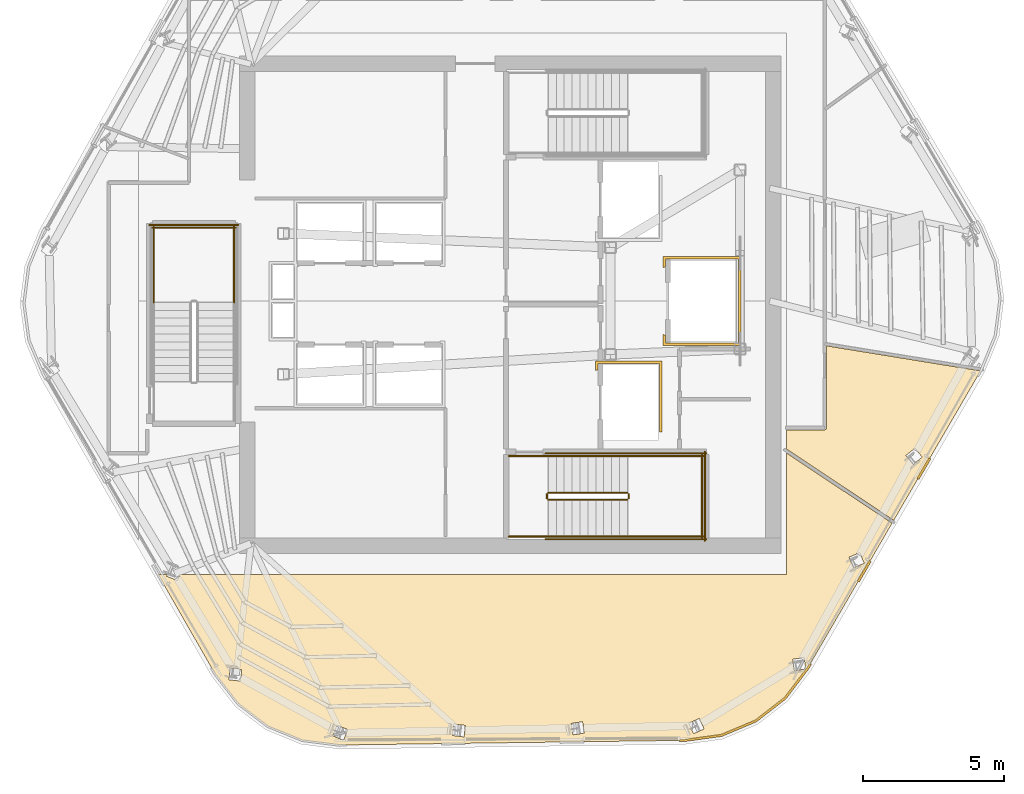
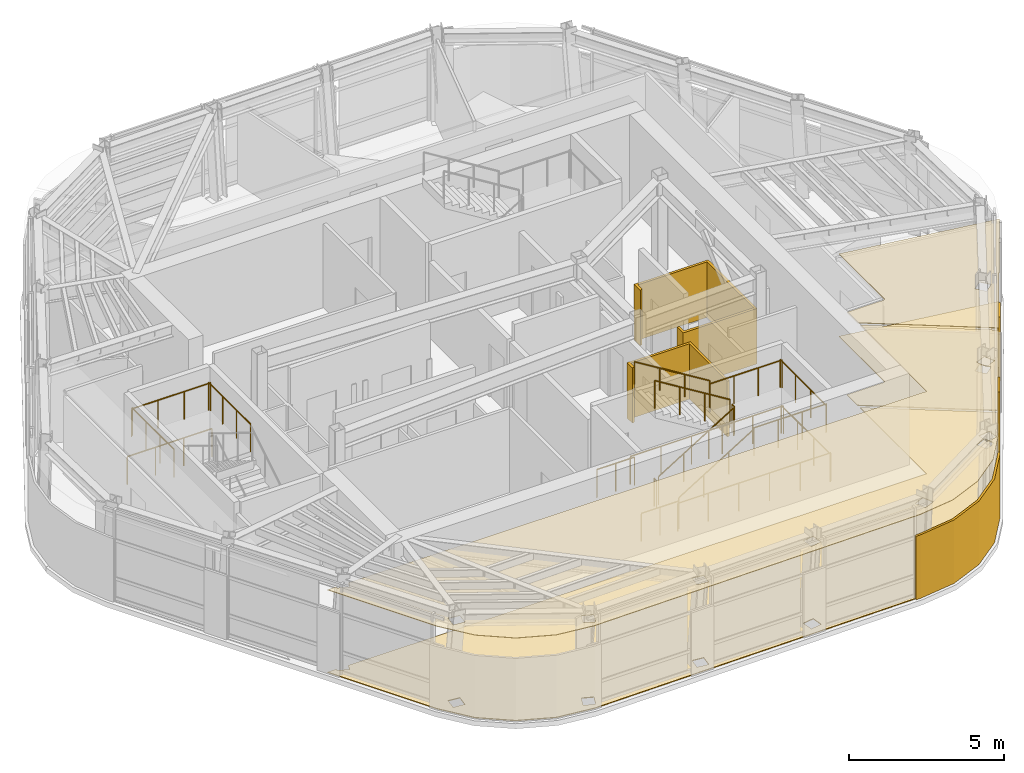
# One storey, part 10 of 13: 18 railings, 9 coverings.
"""IFC4 building model written with IfcOpenShell, lengths in metres."""

from ifc_helpers import new_model, si_unit, direction, frame, origin, origin_2d, place, context, subcontext, project, spatial, polyline, circle, outline, extrude, material, layer, layer_set, type_object, element, save


model = new_model("IFC4")

# Units and contexts
model_context = context("Model", 3, precision=1e-05, world=origin(), true_north=direction((0.0, 1.0)))
body_context = subcontext(model_context, "Body", "Model", "MODEL_VIEW")
ifc_project = project(units=[si_unit("LENGTHUNIT", "METRE"), si_unit("AREAUNIT", "SQUARE_METRE"), si_unit("VOLUMEUNIT", "CUBIC_METRE"), si_unit("PLANEANGLEUNIT", "RADIAN"), si_unit("MASSUNIT", "GRAM", prefix="KILO")], contexts=[model_context])

# Site, building, storey
site_placement = place(None, origin())
site = spatial("IfcSite", under=ifc_project, at=site_placement, CompositionType="ELEMENT")
building_placement = place(site_placement, origin())
building = spatial("IfcBuilding", under=site, at=building_placement, Name="Valkerne Bourse Tower", CompositionType="ELEMENT")
storey_placement = place(building_placement, frame((0.0, 0.0, 285.0)))
storey = spatial("IfcBuildingStorey", under=building, at=storey_placement, Name="L72", CompositionType="ELEMENT", Elevation=285.0)

# Coverings
ifc_material_1 = material(Name="Mineral Fiber Acoustic Ceiling Tile", Category="acoustic")
ifc_layer_1 = layer(ifc_material_1, 0.02490234375)
ifc_layer_set_1 = layer_set([ifc_layer_1], Name="Mineral Fiber Acoustic Ceiling Tile")
covering_type_1 = type_object("IfcCoveringType", Name="COV-CEIL-ACT", PredefinedType="CEILING", material=ifc_layer_set_1)
covering_1_placement = place(storey_placement, frame((0.0, 0.0, 3.25)))
element("IfcCovering", 1, at=covering_1_placement, inside=storey, type_object=covering_type_1, Name="L72 Suspended Ceiling 04", PredefinedType="CEILING", context=body_context, shape_type="SweptSolid", body=[
    extrude(outline(polyline([(57.953369140625, 22.43115234375), (57.99072265625, 22.444091796875), (58.0126953125, 22.470947265625), (58.01904296875, 22.49951171875), (58.01904296875, 25.40869140625), (63.4814453125, 24.520751953125), (60.39990234375, 19.22021484375), (56.60009765625, 21.748291015625), (56.60009765625, 22.430908203125), (57.953369140625, 22.43115234375)]), holes=[polyline([(61.408447265625, 21.46337890625), (61.152587890625, 21.779541015625), (60.83447265625, 21.52294921875), (60.833740234375, 21.520751953125), (61.089599609375, 21.204833984375), (61.40771484375, 21.46142578125), (61.408447265625, 21.46337890625)])]), origin(), (0.0, 0.0, 1.0), 0.02490234375),
])
covering_2_placement = place(storey_placement, frame((0.0, 0.0, 3.25)))
element("IfcCovering", 2, at=covering_2_placement, inside=storey, type_object=covering_type_1, Name="L72 Suspended Ceiling 09", PredefinedType="CEILING", context=body_context, shape_type="SweptSolid", body=[
    extrude(outline(polyline([(55.503173828125, 12.106201171875), (54.286865234375, 11.5947265625), (52.969482421875, 11.414306640625), (40.735107421875, 11.24951171875), (39.4169921875, 11.416015625), (38.1953125, 11.91455078125), (37.144287109375, 12.712158203125), (36.330078125, 13.761962890625), (34.301513671875, 17.300048828125), (34.62939453125, 17.300048828125), (34.604736328125, 17.236083984375), (34.606201171875, 17.234375), (34.98779296875, 17.087646484375), (35.069580078125, 17.300048828125), (56.60009765625, 17.300048828125), (56.60009765625, 21.6064453125), (60.34033203125, 19.117919921875), (57.349853515625, 13.97412109375), (56.5458984375, 12.9150390625), (55.503173828125, 12.106201171875)]), holes=[polyline([(41.031005859375, 11.802001953125), (40.6533203125, 11.950927734375), (40.503173828125, 11.5703125), (40.50537109375, 11.5693359375), (40.883056640625, 11.42041015625), (41.033203125, 11.80126953125), (41.031005859375, 11.802001953125)]), polyline([(45.2041015625, 11.94384765625), (44.801025390625, 11.9921875), (44.75244140625, 11.585693359375), (44.754638671875, 11.58544921875), (45.15771484375, 11.537109375), (45.206298828125, 11.943603515625), (45.2041015625, 11.94384765625)]), polyline([(37.268310546875, 13.924072265625), (36.8623046875, 13.96923828125), (36.816650390625, 13.565185546875), (36.818603515625, 13.563720703125), (37.224609375, 13.518798828125), (37.270263671875, 13.922607421875), (37.268310546875, 13.924072265625)]), polyline([(49.423828125, 11.673095703125), (49.3603515625, 12.077392578125), (49.358154296875, 12.0771484375), (48.95703125, 12.01416015625), (49.020751953125, 11.60986328125), (49.02294921875, 11.610107421875), (49.423828125, 11.673095703125)]), polyline([(53.6708984375, 11.81689453125), (53.506591796875, 12.19189453125), (53.50439453125, 12.19091796875), (53.1328125, 12.0283203125), (53.296630859375, 11.6533203125), (53.298828125, 11.654296875), (53.6708984375, 11.81689453125)]), polyline([(57.27978515625, 13.94873046875), (57.219482421875, 14.350830078125), (56.815185546875, 14.291015625), (56.8134765625, 14.289306640625), (56.873779296875, 13.887451171875), (57.27783203125, 13.947265625), (57.27978515625, 13.94873046875)]), polyline([(59.3525390625, 17.69970703125), (59.1923828125, 18.073486328125), (58.81640625, 17.9130859375), (58.815185546875, 17.911376953125), (58.975341796875, 17.53759765625), (59.351318359375, 17.697998046875), (59.3525390625, 17.69970703125)])]), origin(), (0.0, 0.0, 1.0), 0.02490234375),
])
ifc_material_2 = material(Name="Bronze Anodised Aluminium AA 6063-T6", Category="aluminium")
ifc_layer_2 = layer(ifc_material_2, 0.06005859375)
ifc_layer_set_2 = layer_set([ifc_layer_2], Name="Bronze Anodised Aluminium AA 6063-T6")
covering_type_2 = type_object("IfcCoveringType", Name="COV-CRN-ALUM", PredefinedType="CLADDING", material=ifc_layer_set_2)
covering_3_placement = place(storey_placement, origin())
element("IfcCovering", 3, at=covering_3_placement, inside=storey, type_object=covering_type_2, Name="L72 Wind-Shaped Corner Aluminium Cladding 02", PredefinedType="CLADDING", context=body_context, shape_type="SweptSolid", body=[
    extrude(outline(polyline([(61.29541015625, 20.673095703125), (61.225830078125, 20.712646484375), (61.64794921875, 21.438720703125), (61.717529296875, 21.399169921875), (61.29541015625, 20.673095703125)])), origin(), (0.0, 0.0, 1.0), 2.5),
])
covering_4_placement = place(storey_placement, origin())
element("IfcCovering", 4, at=covering_4_placement, inside=storey, type_object=covering_type_2, Name="L72 Wind-Shaped Corner Aluminium Cladding 03", PredefinedType="CLADDING", context=body_context, shape_type="SweptSolid", body=[
    extrude(outline(polyline([(59.17822265625, 17.031494140625), (59.10888671875, 17.071044921875), (59.531005859375, 17.79736328125), (59.6005859375, 17.7578125), (59.17822265625, 17.031494140625)])), origin(), (0.0, 0.0, 1.0), 2.5),
])
covering_5_placement = place(storey_placement, origin())
element("IfcCovering", 5, at=covering_5_placement, inside=storey, type_object=covering_type_2, Name="L72 Wind-Shaped Corner Aluminium Cladding 04", PredefinedType="CLADDING", context=body_context, shape_type="SweptSolid", body=[
    extrude(outline(polyline([(57.386474609375, 13.94970703125), (56.577392578125, 12.8837890625), (55.525634765625, 12.06787109375), (54.298583984375, 11.552001953125), (52.97265625, 11.370361328125), (52.77978515625, 11.367919921875), (52.779541015625, 11.44775390625), (52.966796875, 11.4501953125), (54.277099609375, 11.6298828125), (55.48486328125, 12.1376953125), (56.520263671875, 12.9404296875), (57.31982421875, 13.993896484375), (57.4140625, 14.156005859375), (57.4833984375, 14.1162109375), (57.386474609375, 13.94970703125)])), origin(), (0.0, 0.0, 1.0), 2.5),
])
ifc_material_3 = material(Name="Polished Granite Stone", Category="masonry")
ifc_layer_3 = layer(ifc_material_3, 0.030029296875)
ifc_layer_set_3 = layer_set([ifc_layer_3], Name="Polished Granite Stone")
covering_type_3 = type_object("IfcCoveringType", Name="COV-FLR-TERRAZZO", PredefinedType="FLOORING", material=ifc_layer_set_3)
covering_6_placement = place(storey_placement, origin())
element("IfcCovering", 6, at=covering_6_placement, inside=storey, type_object=covering_type_3, Name="L72 Floor Finish 04", PredefinedType="FLOORING", context=body_context, shape_type="SweptSolid", body=[
    extrude(outline(polyline([(57.953369140625, 22.43115234375), (57.99072265625, 22.444091796875), (58.0126953125, 22.470947265625), (58.01904296875, 22.49951171875), (58.01904296875, 25.40869140625), (63.4814453125, 24.520751953125), (60.39990234375, 19.22021484375), (56.60009765625, 21.748291015625), (56.60009765625, 22.430908203125), (57.953369140625, 22.43115234375)]), holes=[polyline([(61.408447265625, 21.46337890625), (61.152587890625, 21.779541015625), (60.83447265625, 21.52294921875), (60.833740234375, 21.520751953125), (61.089599609375, 21.204833984375), (61.40771484375, 21.46142578125), (61.408447265625, 21.46337890625)])]), origin(), (0.0, 0.0, 1.0), 0.030029296875),
])
covering_7_placement = place(storey_placement, origin())
element("IfcCovering", 7, at=covering_7_placement, inside=storey, type_object=covering_type_3, Name="L72 Floor Finish 09", PredefinedType="FLOORING", context=body_context, shape_type="SweptSolid", body=[
    extrude(outline(polyline([(55.503173828125, 12.106201171875), (54.286865234375, 11.5947265625), (52.969482421875, 11.414306640625), (40.735107421875, 11.24951171875), (39.4169921875, 11.416015625), (38.1953125, 11.91455078125), (37.144287109375, 12.712158203125), (36.330078125, 13.761962890625), (34.301513671875, 17.300048828125), (34.62939453125, 17.300048828125), (34.604736328125, 17.236083984375), (34.606201171875, 17.234375), (34.98779296875, 17.087646484375), (35.069580078125, 17.300048828125), (56.60009765625, 17.300048828125), (56.60009765625, 21.6064453125), (60.34033203125, 19.117919921875), (57.349853515625, 13.97412109375), (56.5458984375, 12.9150390625), (55.503173828125, 12.106201171875)]), holes=[polyline([(41.031005859375, 11.802001953125), (40.6533203125, 11.950927734375), (40.503173828125, 11.5703125), (40.50537109375, 11.5693359375), (40.883056640625, 11.42041015625), (41.033203125, 11.80126953125), (41.031005859375, 11.802001953125)]), polyline([(45.2041015625, 11.94384765625), (44.801025390625, 11.9921875), (44.75244140625, 11.585693359375), (44.754638671875, 11.58544921875), (45.15771484375, 11.537109375), (45.206298828125, 11.943603515625), (45.2041015625, 11.94384765625)]), polyline([(37.268310546875, 13.924072265625), (36.8623046875, 13.96923828125), (36.816650390625, 13.565185546875), (36.818603515625, 13.563720703125), (37.224609375, 13.518798828125), (37.270263671875, 13.922607421875), (37.268310546875, 13.924072265625)]), polyline([(49.423828125, 11.673095703125), (49.3603515625, 12.077392578125), (49.358154296875, 12.0771484375), (48.95703125, 12.01416015625), (49.020751953125, 11.60986328125), (49.02294921875, 11.610107421875), (49.423828125, 11.673095703125)]), polyline([(53.6708984375, 11.81689453125), (53.506591796875, 12.19189453125), (53.50439453125, 12.19091796875), (53.1328125, 12.0283203125), (53.296630859375, 11.6533203125), (53.298828125, 11.654296875), (53.6708984375, 11.81689453125)]), polyline([(57.27978515625, 13.94873046875), (57.219482421875, 14.350830078125), (56.815185546875, 14.291015625), (56.8134765625, 14.289306640625), (56.873779296875, 13.887451171875), (57.27783203125, 13.947265625), (57.27978515625, 13.94873046875)]), polyline([(59.3525390625, 17.69970703125), (59.1923828125, 18.073486328125), (58.81640625, 17.9130859375), (58.815185546875, 17.911376953125), (58.975341796875, 17.53759765625), (59.351318359375, 17.697998046875), (59.3525390625, 17.69970703125)])]), origin(), (0.0, 0.0, 1.0), 0.030029296875),
])
ifc_material_4 = material(Name="Gypsum Shaftwall Liner Board", Category="gypsum")
ifc_layer_4 = layer(ifc_material_4, 0.080078125)
ifc_layer_set_4 = layer_set([ifc_layer_4], Name="Gypsum Shaftwall Liner Board")
covering_type_4 = type_object("IfcCoveringType", Name="COV-SHF-CLAD", PredefinedType="CLADDING", material=ifc_layer_set_4)
covering_8_placement = place(storey_placement, origin())
element("IfcCovering", 8, at=covering_8_placement, inside=storey, type_object=covering_type_4, Name="L72 Hoistway & Riser Shaftwall Liner 01", PredefinedType="CLADDING", context=body_context, shape_type="SweptSolid", body=[
    extrude(outline(polyline([(52.179931640625, 24.8798828125), (52.179931640625, 22.35009765625), (52.090087890625, 22.35009765625), (52.090087890625, 24.7900390625), (49.909912109375, 24.7900390625), (49.909912109375, 24.560791015625), (49.869384765625, 24.550537109375), (49.827880859375, 24.53564453125), (49.820068359375, 24.531982421875), (49.820068359375, 24.8798828125), (52.179931640625, 24.8798828125)])), origin(), (0.0, 0.0, 1.0), 2.179931640625),
])
covering_9_placement = place(storey_placement, origin())
element("IfcCovering", 9, at=covering_9_placement, inside=storey, type_object=covering_type_4, Name="L72 Hoistway & Riser Shaftwall Liner 05", PredefinedType="CLADDING", context=body_context, shape_type="SweptSolid", body=[
    extrude(outline(polyline([(54.97998046875, 28.580078125), (54.97998046875, 25.419921875), (52.219970703125, 25.419921875), (52.219970703125, 25.81787109375), (52.227783203125, 25.814208984375), (52.269287109375, 25.79931640625), (52.31005859375, 25.789306640625), (52.31005859375, 25.510009765625), (54.889892578125, 25.510009765625), (54.889892578125, 28.489990234375), (52.31005859375, 28.489990234375), (52.31005859375, 28.210693359375), (52.269287109375, 28.20068359375), (52.227783203125, 28.185791015625), (52.219970703125, 28.18212890625), (52.219970703125, 28.580078125), (54.97998046875, 28.580078125)])), origin(), (0.0, 0.0, 1.0), 2.179931640625),
])

# Railings
ifc_material_5 = material(Name="Galvanised Painted Steel", Category="steel")
railing_type_1 = type_object("IfcRailingType", Name="RLG-ST-GUARD-1120", PredefinedType="GUARDRAIL", material=ifc_material_5)
railing_1_placement = place(storey_placement, frame((48.14990234375, 19.949951171875, 0.172607421875)))
element("IfcRailing", 10, at=railing_1_placement, inside=storey, type_object=railing_type_1, Name="L72 ST-1 stair guard 1", PredefinedType="GUARDRAIL", context=body_context, shape_type="SweptSolid", body=[
    extrude(circle(Radius=0.02392578125, at=origin_2d()), frame((0.0, 0.0, 1.09619140625), z_axis=(0.851089632645, 0.0, 0.525020415988), x_axis=(0.0, 1.0, 0.0)), (0.0, 0.0, 1.0), 3.2900390625),
    extrude(circle(Radius=0.02099609375, at=origin_2d()), origin(), (0.0, 0.0, 1.0), 1.072021484375),
    extrude(circle(Radius=0.02099609375, at=origin_2d()), frame((0.933349609375, 0.0, 0.57568359375)), (0.0, 0.0, 1.0), 1.072021484375),
    extrude(circle(Radius=0.02099609375, at=origin_2d()), frame((1.86669921875, 0.0, 1.151611328125)), (0.0, 0.0, 1.0), 1.072021484375),
    extrude(circle(Radius=0.02099609375, at=origin_2d()), frame((2.800048828125, 0.0, 1.727294921875)), (0.0, 0.0, 1.0), 1.072021484375),
])
railing_2_placement = place(storey_placement, frame((51.0, 20.0, 1.89990234375)))
element("IfcRailing", 11, at=railing_2_placement, inside=storey, type_object=railing_type_1, Name="L72 ST-1 stair guard 2", PredefinedType="GUARDRAIL", context=body_context, shape_type="SweptSolid", body=[
    extrude(circle(Radius=0.02392578125, at=origin_2d()), frame((0.0, 0.0, 1.09619140625), z_axis=(0.0, 1.0, 0.0), x_axis=(-1.0, 0.0, 0.0)), (0.0, 0.0, 1.0), 0.14990234375),
    extrude(circle(Radius=0.02099609375, at=origin_2d()), origin(), (0.0, 0.0, 1.0), 1.072021484375),
    extrude(circle(Radius=0.02099609375, at=origin_2d()), frame((0.0, 0.14990234375, 0.0)), (0.0, 0.0, 1.0), 1.072021484375),
])
for number, where, name in (
    (12, (50.949951171875, 18.64990234375, 1.89990234375), "L72 ST-1 stair guard 3"),
    (13, (50.949951171875, 21.5, 1.89990234375), "L72 ST-1 stair guard 4"),
):
    element("IfcRailing", number, at=place(storey_placement, frame(where)), inside=storey, type_object=railing_type_1, Name=name, PredefinedType="GUARDRAIL", context=body_context, shape_type="SweptSolid", body=[
        extrude(circle(Radius=0.02392578125, at=origin_2d()), frame((0.0, 0.0, 1.09619140625), z_axis=(1.0, 0.0, 0.0), x_axis=(0.0, 1.0, 0.0)), (0.0, 0.0, 1.0), 2.699951171875),
        extrude(circle(Radius=0.02099609375, at=origin_2d()), origin(), (0.0, 0.0, 1.0), 1.072021484375),
        extrude(circle(Radius=0.02099609375, at=origin_2d()), frame((0.89990234375, 0.0, 0.0)), (0.0, 0.0, 1.0), 1.072021484375),
        extrude(circle(Radius=0.02099609375, at=origin_2d()), frame((1.800048828125, 0.0, 0.0)), (0.0, 0.0, 1.0), 1.072021484375),
        extrude(circle(Radius=0.02099609375, at=origin_2d()), frame((2.699951171875, 0.0, 0.0)), (0.0, 0.0, 1.0), 1.072021484375),
    ])
railing_3_placement = place(storey_placement, frame((53.60009765625, 18.60009765625, 1.89990234375)))
element("IfcRailing", 14, at=railing_3_placement, inside=storey, type_object=railing_type_1, Name="L72 ST-1 stair guard 5", PredefinedType="GUARDRAIL", context=body_context, shape_type="SweptSolid", body=[
    extrude(circle(Radius=0.02392578125, at=origin_2d()), frame((0.0, 0.0, 1.09619140625), z_axis=(0.0, 1.0, 0.0), x_axis=(-1.0, 0.0, 0.0)), (0.0, 0.0, 1.0), 2.949951171875),
    extrude(circle(Radius=0.02099609375, at=origin_2d()), origin(), (0.0, 0.0, 1.0), 1.072021484375),
    extrude(circle(Radius=0.02099609375, at=origin_2d()), frame((0.0, 0.9833984375, 0.0)), (0.0, 0.0, 1.0), 1.072021484375),
    extrude(circle(Radius=0.02099609375, at=origin_2d()), frame((0.0, 1.966552734375, 0.0)), (0.0, 0.0, 1.0), 1.072021484375),
    extrude(circle(Radius=0.02099609375, at=origin_2d()), frame((0.0, 2.949951171875, 0.0)), (0.0, 0.0, 1.0), 1.072021484375),
])
railing_4_placement = place(storey_placement, frame((50.949951171875, 20.199951171875, 2.07275390625)))
element("IfcRailing", 15, at=railing_4_placement, inside=storey, type_object=railing_type_1, Name="L72 ST-1 stair guard 6", PredefinedType="GUARDRAIL", context=body_context, shape_type="SweptSolid", body=[
    extrude(circle(Radius=0.02392578125, at=origin_2d()), frame((0.0, 0.0, 1.09619140625), z_axis=(-0.851089632645, 0.0, 0.525020415988), x_axis=(0.0, -1.0, 0.0)), (0.0, 0.0, 1.0), 3.2900390625),
    extrude(circle(Radius=0.02099609375, at=origin_2d()), origin(), (0.0, 0.0, 1.0), 1.072021484375),
    extrude(circle(Radius=0.02099609375, at=origin_2d()), frame((-0.933349609375, 0.0, 0.57568359375)), (0.0, 0.0, 1.0), 1.072021484375),
    extrude(circle(Radius=0.02099609375, at=origin_2d()), frame((-1.86669921875, 0.0, 1.151611328125)), (0.0, 0.0, 1.0), 1.072021484375),
    extrude(circle(Radius=0.02099609375, at=origin_2d()), frame((-2.800048828125, 0.0, 1.727294921875)), (0.0, 0.0, 1.0), 1.072021484375),
])
railing_5_placement = place(storey_placement, frame((48.10009765625, 20.0, 0.0)))
element("IfcRailing", 16, at=railing_5_placement, inside=storey, type_object=railing_type_1, Name="L72 ST-1 stair guard 7", PredefinedType="GUARDRAIL", context=body_context, shape_type="SweptSolid", body=[
    extrude(circle(Radius=0.02392578125, at=origin_2d()), frame((0.0, 0.0, 1.09619140625), z_axis=(0.0, 1.0, 0.0), x_axis=(-1.0, 0.0, 0.0)), (0.0, 0.0, 1.0), 0.14990234375),
    extrude(circle(Radius=0.02099609375, at=origin_2d()), origin(), (0.0, 0.0, 1.0), 1.072021484375),
    extrude(circle(Radius=0.02099609375, at=origin_2d()), frame((0.0, 0.14990234375, 0.0)), (0.0, 0.0, 1.0), 1.072021484375),
])
for number, where, name in (
    (17, (46.75, 18.64990234375, 0.0), "L72 ST-1 stair guard 8"),
    (18, (46.75, 21.5, 0.0), "L72 ST-1 stair guard 9"),
):
    element("IfcRailing", number, at=place(storey_placement, frame(where)), inside=storey, type_object=railing_type_1, Name=name, PredefinedType="GUARDRAIL", context=body_context, shape_type="SweptSolid", body=[
        extrude(circle(Radius=0.02392578125, at=origin_2d()), frame((0.0, 0.0, 1.09619140625), z_axis=(1.0, 0.0, 0.0), x_axis=(0.0, 1.0, 0.0)), (0.0, 0.0, 1.0), 1.39990234375),
        extrude(circle(Radius=0.02099609375, at=origin_2d()), origin(), (0.0, 0.0, 1.0), 1.072021484375),
        extrude(circle(Radius=0.02099609375, at=origin_2d()), frame((0.699951171875, 0.0, 0.0)), (0.0, 0.0, 1.0), 1.072021484375),
        extrude(circle(Radius=0.02099609375, at=origin_2d()), frame((1.39990234375, 0.0, 0.0)), (0.0, 0.0, 1.0), 1.072021484375),
    ])
for number, where, name in (
    (19, (48.050048828125, 18.550048828125, 0.0), "L72 ST-1 stair guard 10"),
    (20, (48.050048828125, 21.60009765625, 0.0), "L72 ST-1 stair guard 11"),
):
    element("IfcRailing", number, at=place(storey_placement, frame(where)), inside=storey, type_object=railing_type_1, Name=name, PredefinedType="GUARDRAIL", context=body_context, shape_type="SweptSolid", body=[
        extrude(circle(Radius=0.02392578125, at=origin_2d()), frame((0.0, 0.0, 1.09619140625), z_axis=(1.0, 0.0, 0.0), x_axis=(0.0, 1.0, 0.0)), (0.0, 0.0, 1.0), 5.699951171875),
        extrude(circle(Radius=0.02099609375, at=origin_2d()), origin(), (0.0, 0.0, 1.0), 1.072021484375),
        extrude(circle(Radius=0.02099609375, at=origin_2d()), frame((1.139892578125, 0.0, 0.0)), (0.0, 0.0, 1.0), 1.072021484375),
        extrude(circle(Radius=0.02099609375, at=origin_2d()), frame((2.280029296875, 0.0, 0.0)), (0.0, 0.0, 1.0), 1.072021484375),
        extrude(circle(Radius=0.02099609375, at=origin_2d()), frame((3.419921875, 0.0, 0.0)), (0.0, 0.0, 1.0), 1.072021484375),
        extrude(circle(Radius=0.02099609375, at=origin_2d()), frame((4.56005859375, 0.0, 0.0)), (0.0, 0.0, 1.0), 1.072021484375),
        extrude(circle(Radius=0.02099609375, at=origin_2d()), frame((5.699951171875, 0.0, 0.0)), (0.0, 0.0, 1.0), 1.072021484375),
    ])
railing_6_placement = place(storey_placement, frame((53.699951171875, 18.5, 0.0)))
element("IfcRailing", 21, at=railing_6_placement, inside=storey, type_object=railing_type_1, Name="L72 ST-1 stair guard 12", PredefinedType="GUARDRAIL", context=body_context, shape_type="SweptSolid", body=[
    extrude(circle(Radius=0.02392578125, at=origin_2d()), frame((0.0, 0.0, 1.09619140625), z_axis=(0.0, 1.0, 0.0), x_axis=(-1.0, 0.0, 0.0)), (0.0, 0.0, 1.0), 3.14990234375),
    extrude(circle(Radius=0.02099609375, at=origin_2d()), origin(), (0.0, 0.0, 1.0), 1.072021484375),
    extrude(circle(Radius=0.02099609375, at=origin_2d()), frame((0.0, 1.050048828125, 0.0)), (0.0, 0.0, 1.0), 1.072021484375),
    extrude(circle(Radius=0.02099609375, at=origin_2d()), frame((0.0, 2.099853515625, 0.0)), (0.0, 0.0, 1.0), 1.072021484375),
    extrude(circle(Radius=0.02099609375, at=origin_2d()), frame((0.0, 3.14990234375, 0.0)), (0.0, 0.0, 1.0), 1.072021484375),
])
for number, where, name in (
    (22, (37.0, 26.949951171875, 1.89990234375), "L72 ST-3 stair guard 3"),
    (23, (34.14990234375, 26.949951171875, 1.89990234375), "L72 ST-3 stair guard 4"),
):
    element("IfcRailing", number, at=place(storey_placement, frame(where)), inside=storey, type_object=railing_type_1, Name=name, PredefinedType="GUARDRAIL", context=body_context, shape_type="SweptSolid", body=[
        extrude(circle(Radius=0.02392578125, at=origin_2d()), frame((0.0, 0.0, 1.09619140625), z_axis=(0.0, 1.0, 0.0), x_axis=(-1.0, 0.0, 0.0)), (0.0, 0.0, 1.0), 2.699951171875),
        extrude(circle(Radius=0.02099609375, at=origin_2d()), origin(), (0.0, 0.0, 1.0), 1.072021484375),
        extrude(circle(Radius=0.02099609375, at=origin_2d()), frame((0.0, 0.89990234375, 0.0)), (0.0, 0.0, 1.0), 1.072021484375),
        extrude(circle(Radius=0.02099609375, at=origin_2d()), frame((0.0, 1.800048828125, 0.0)), (0.0, 0.0, 1.0), 1.072021484375),
        extrude(circle(Radius=0.02099609375, at=origin_2d()), frame((0.0, 2.699951171875, 0.0)), (0.0, 0.0, 1.0), 1.072021484375),
    ])
railing_7_placement = place(storey_placement, frame((37.050048828125, 29.60009765625, 1.89990234375)))
element("IfcRailing", 24, at=railing_7_placement, inside=storey, type_object=railing_type_1, Name="L72 ST-3 stair guard 5", PredefinedType="GUARDRAIL", context=body_context, shape_type="SweptSolid", body=[
    extrude(circle(Radius=0.02392578125, at=origin_2d()), frame((0.0, 0.0, 1.09619140625), z_axis=(-1.0, 0.0, 0.0), x_axis=(0.0, -1.0, 0.0)), (0.0, 0.0, 1.0), 2.949951171875),
    extrude(circle(Radius=0.02099609375, at=origin_2d()), origin(), (0.0, 0.0, 1.0), 1.072021484375),
    extrude(circle(Radius=0.02099609375, at=origin_2d()), frame((-0.9833984375, 0.0, 0.0)), (0.0, 0.0, 1.0), 1.072021484375),
    extrude(circle(Radius=0.02099609375, at=origin_2d()), frame((-1.966552734375, 0.0, 0.0)), (0.0, 0.0, 1.0), 1.072021484375),
    extrude(circle(Radius=0.02099609375, at=origin_2d()), frame((-2.949951171875, 0.0, 0.0)), (0.0, 0.0, 1.0), 1.072021484375),
])
railing_8_placement = place(storey_placement, frame((37.14990234375, 29.699951171875, 0.0)))
element("IfcRailing", 25, at=railing_8_placement, inside=storey, type_object=railing_type_1, Name="L72 ST-3 stair guard 12", PredefinedType="GUARDRAIL", context=body_context, shape_type="SweptSolid", body=[
    extrude(circle(Radius=0.02392578125, at=origin_2d()), frame((0.0, 0.0, 1.09619140625), z_axis=(-1.0, 0.0, 0.0), x_axis=(0.0, -1.0, 0.0)), (0.0, 0.0, 1.0), 3.14990234375),
    extrude(circle(Radius=0.02099609375, at=origin_2d()), origin(), (0.0, 0.0, 1.0), 1.072021484375),
    extrude(circle(Radius=0.02099609375, at=origin_2d()), frame((-1.050048828125, 0.0, 0.0)), (0.0, 0.0, 1.0), 1.072021484375),
    extrude(circle(Radius=0.02099609375, at=origin_2d()), frame((-2.099853515625, 0.0, 0.0)), (0.0, 0.0, 1.0), 1.072021484375),
    extrude(circle(Radius=0.02099609375, at=origin_2d()), frame((-3.14990234375, 0.0, 0.0)), (0.0, 0.0, 1.0), 1.072021484375),
])
ifc_material_6 = material(Name="Stainless Steel AISI 316", Category="steel")
railing_type_2 = type_object("IfcRailingType", Name="RLG-ST-HANDRAIL-900", PredefinedType="HANDRAIL", material=ifc_material_6)
railing_9_placement = place(storey_placement, frame((48.14990234375, 18.64990234375, 0.345458984375)))
element("IfcRailing", 26, at=railing_9_placement, inside=storey, type_object=railing_type_2, Name="L72 ST-1 stair handrail 1", PredefinedType="HANDRAIL", context=body_context, shape_type="SweptSolid", body=[
    extrude(circle(Radius=0.02392578125, at=origin_2d()), frame((0.0, 0.0, 0.8759765625), z_axis=(0.851089632645, 0.0, 0.525020415988), x_axis=(0.0, 1.0, 0.0)), (0.0, 0.0, 1.0), 3.2900390625),
    extrude(circle(Radius=0.02099609375, at=origin_2d()), origin(), (0.0, 0.0, 1.0), 0.851806640625),
    extrude(circle(Radius=0.02099609375, at=origin_2d()), frame((0.933349609375, 0.0, 0.57568359375)), (0.0, 0.0, 1.0), 0.851806640625),
    extrude(circle(Radius=0.02099609375, at=origin_2d()), frame((1.86669921875, 0.0, 1.151611328125)), (0.0, 0.0, 1.0), 0.851806640625),
    extrude(circle(Radius=0.02099609375, at=origin_2d()), frame((2.800048828125, 0.0, 1.727294921875)), (0.0, 0.0, 1.0), 0.851806640625),
])
railing_10_placement = place(storey_placement, frame((50.949951171875, 21.5, 2.245361328125)))
element("IfcRailing", 27, at=railing_10_placement, inside=storey, type_object=railing_type_2, Name="L72 ST-1 stair handrail 2", PredefinedType="HANDRAIL", context=body_context, shape_type="SweptSolid", body=[
    extrude(circle(Radius=0.02392578125, at=origin_2d()), frame((0.0, 0.0, 0.8759765625), z_axis=(-0.851089632645, 0.0, 0.525020415988), x_axis=(0.0, -1.0, 0.0)), (0.0, 0.0, 1.0), 3.2900390625),
    extrude(circle(Radius=0.02099609375, at=origin_2d()), origin(), (0.0, 0.0, 1.0), 0.851806640625),
    extrude(circle(Radius=0.02099609375, at=origin_2d()), frame((-0.933349609375, 0.0, 0.57568359375)), (0.0, 0.0, 1.0), 0.851806640625),
    extrude(circle(Radius=0.02099609375, at=origin_2d()), frame((-1.86669921875, 0.0, 1.151611328125)), (0.0, 0.0, 1.0), 0.851806640625),
    extrude(circle(Radius=0.02099609375, at=origin_2d()), frame((-2.800048828125, 0.0, 1.727294921875)), (0.0, 0.0, 1.0), 0.851806640625),
])

save(model, "model.ifc")
